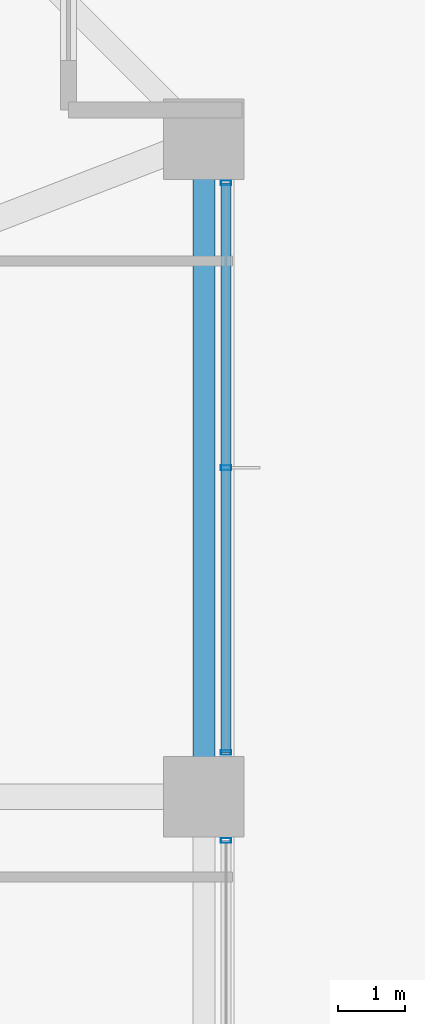
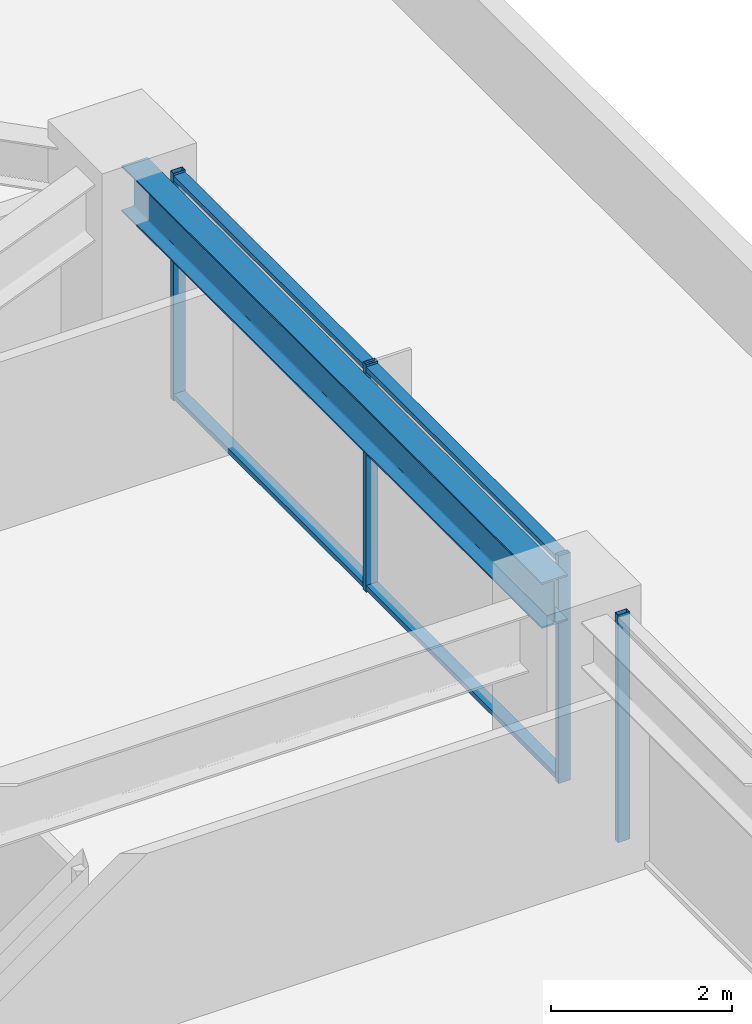
# One storey, part 23 of 36: 6 members, 1 beam, 2 elements without a shape of their own.
"""IFC4 building model written with IfcOpenShell, lengths in metres."""

from ifc_helpers import new_model, si_unit, direction, frame, origin, origin_2d, place, context, subcontext, project, spatial, hollow_rectangle, i_section, extrude, material, material_profile, profile_set, type_object, element, aggregate, save


model = new_model("IFC4")

# Units and contexts
model_context = context("Model", 3, precision=1e-05, world=origin(), true_north=direction((0.0, 1.0)))
body_context = subcontext(model_context, "Body", "Model", "MODEL_VIEW")
ifc_project = project(units=[si_unit("LENGTHUNIT", "METRE"), si_unit("AREAUNIT", "SQUARE_METRE"), si_unit("VOLUMEUNIT", "CUBIC_METRE"), si_unit("PLANEANGLEUNIT", "RADIAN"), si_unit("MASSUNIT", "GRAM", prefix="KILO")], contexts=[model_context])

# Site, building, storey
site_placement = place(None, origin())
site = spatial("IfcSite", under=ifc_project, at=site_placement, CompositionType="ELEMENT")
building_placement = place(site_placement, origin())
building = spatial("IfcBuilding", under=site, at=building_placement, Name="Kolvaren Belvedere", CompositionType="ELEMENT")
storey_placement = place(building_placement, frame((0.0, 0.0, 23.800048828125)))
storey = spatial("IfcBuildingStorey", under=building, at=storey_placement, Name="L06", CompositionType="ELEMENT", Elevation=23.800048828125)

# Beam
ifc_material_1 = material(Name="Structural steel ASTM A992 Grade 50", Category="steel")
ifc_material_profile_1 = material_profile(ifc_material_1, i_section(OverallWidth=0.324951171875, OverallDepth=0.615966796875, WebThickness=0.013916015625, FlangeThickness=0.021484375, FilletRadius=0.02001953125, at=origin_2d()), Name="W24X117")
ifc_profile_set_1 = profile_set([ifc_material_profile_1], Name="Structural steel ASTM A992 Grade 50")
beam_type = type_object("IfcBeamType", Name="BM-SPAN-W24X117", PredefinedType="SPANDREL", material=ifc_profile_set_1)
beam_placement = place(storey_placement, frame((21.550048828125, 4.8701171875, 2.751953125), z_axis=(0.0, 1.0, 0.0), x_axis=(-1.0, 0.0, 0.0)))
element("IfcBeam", 1, at=beam_placement, inside=storey, type_object=beam_type, Name="L06 Perimeter Spandrel E3-E4", PredefinedType="SPANDREL", context=body_context, shape_type="SweptSolid", body=[
    extrude(i_section(OverallWidth=0.324951171875, OverallDepth=0.615966796875, WebThickness=0.013916015625, FlangeThickness=0.021484375, FilletRadius=0.02001953125, at=origin_2d()), origin(), (0.0, 0.0, 1.0), 9.259765625),
])

# Curtain wall, members
ifc_material_2 = material(Name="Anodised pale-metal aluminium AA 6063-T6", Category="aluminium")
curtain_wall_type = type_object("IfcCurtainWallType", Name="CW-Z1-LOW", PredefinedType="NOTDEFINED", material=ifc_material_2)
curtain_wall_1_placement = place(storey_placement, origin())
curtain_wall_1 = element("IfcCurtainWall", 2, at=curtain_wall_1_placement, inside=storey, type_object=curtain_wall_type, Name="L06 Unitised Curtain Wall FCW-L06-E-B1", PredefinedType="NOTDEFINED")
ifc_material_3 = material(Name="Anodised pale-metal aluminium AA 6063-T6", Category="aluminium")
ifc_material_profile_2 = material_profile(ifc_material_3, hollow_rectangle(XDim=0.070068359375, YDim=0.14990234375, WallThickness=0.004150390625, at=origin_2d()), Name="ALU-MUL-150X70")
ifc_profile_set_2 = profile_set([ifc_material_profile_2], Name="Anodised pale-metal aluminium AA 6063-T6")
member_type_1 = type_object("IfcMemberType", Name="CW-MUL-150", PredefinedType="MULLION", material=ifc_profile_set_2)
member_1_placement = place(storey_placement, frame((21.8798828125, 13.7451171875, 0.0), z_axis=(0.0, 0.0, 1.0), x_axis=(0.0, 1.0, 0.0)))
member_1 = element("IfcMember", 3, at=member_1_placement, type_object=member_type_1, Name="FCW-L06-E-B1 Unitised Mullion 1", PredefinedType="MULLION", context=body_context, shape_type="SweptSolid", body=[
    extrude(hollow_rectangle(XDim=0.070068359375, YDim=0.14990234375, WallThickness=0.004150390625, at=origin_2d()), origin(), (0.0, 0.0, 1.0), 3.06005859375),
])
member_2_placement = place(storey_placement, frame((21.8798828125, 9.5, 0.0), z_axis=(0.0, 0.0, 1.0), x_axis=(0.0, 1.0, 0.0)))
member_2 = element("IfcMember", 4, at=member_2_placement, type_object=member_type_1, Name="FCW-L06-E-B1 Unitised Mullion 2", PredefinedType="MULLION", context=body_context, shape_type="SweptSolid", body=[
    extrude(hollow_rectangle(XDim=0.070068359375, YDim=0.14990234375, WallThickness=0.004150390625, at=origin_2d()), origin(), (0.0, 0.0, 1.0), 3.06005859375),
])
member_3_placement = place(storey_placement, frame((21.8798828125, 5.2548828125, 0.0), z_axis=(0.0, 0.0, 1.0), x_axis=(0.0, 1.0, 0.0)))
member_3 = element("IfcMember", 5, at=member_3_placement, type_object=member_type_1, Name="FCW-L06-E-B1 Unitised Mullion 3", PredefinedType="MULLION", context=body_context, shape_type="SweptSolid", body=[
    extrude(hollow_rectangle(XDim=0.070068359375, YDim=0.14990234375, WallThickness=0.004150390625, at=origin_2d()), origin(), (0.0, 0.0, 1.0), 3.06005859375),
])

# Curtain wall, member
curtain_wall_2_placement = place(storey_placement, origin())
curtain_wall_2 = element("IfcCurtainWall", 6, at=curtain_wall_2_placement, inside=storey, type_object=curtain_wall_type, Name="L06 Unitised Curtain Wall FCW-L06-E-B2", PredefinedType="NOTDEFINED")
member_4_placement = place(storey_placement, frame((21.8798828125, 3.945068359375, 0.0), z_axis=(0.0, 0.0, 1.0), x_axis=(0.0, 1.0, 0.0)))
member_4 = element("IfcMember", 7, at=member_4_placement, type_object=member_type_1, Name="FCW-L06-E-B2 Unitised Mullion 1", PredefinedType="MULLION", context=body_context, shape_type="SweptSolid", body=[
    extrude(hollow_rectangle(XDim=0.070068359375, YDim=0.14990234375, WallThickness=0.004150390625, at=origin_2d()), origin(), (0.0, 0.0, 1.0), 3.06005859375),
])
aggregate(curtain_wall_2, [member_4])

# Member
ifc_material_4 = material(Name="Anodised pale-metal aluminium AA 6063-T6", Category="aluminium")
ifc_material_profile_3 = material_profile(ifc_material_4, hollow_rectangle(XDim=0.06494140625, YDim=0.14990234375, WallThickness=0.00390625, at=origin_2d()), Name="ALU-TRN-150X65")
ifc_profile_set_3 = profile_set([ifc_material_profile_3], Name="Anodised pale-metal aluminium AA 6063-T6")
member_type_2 = type_object("IfcMemberType", Name="CW-TRN-150", PredefinedType="USERDEFINED", material=ifc_profile_set_3)
member_5_placement = place(storey_placement, frame((21.8798828125, 13.7451171875, 0.06005859375), z_axis=(0.0, -1.0, 0.0), x_axis=(0.0, 0.0, 1.0)))
member_5 = element("IfcMember", 8, at=member_5_placement, type_object=member_type_2, Name="FCW-L06-E-B1 Sill Transom", ObjectType="TRANSOM", PredefinedType="USERDEFINED", context=body_context, shape_type="SweptSolid", body=[
    extrude(hollow_rectangle(XDim=0.06494140625, YDim=0.14990234375, WallThickness=0.00390625, at=origin_2d()), origin(), (0.0, 0.0, 1.0), 8.490234375),
])

member_6_placement = place(storey_placement, frame((21.8798828125, 13.7451171875, 3.0), z_axis=(0.0, -1.0, 0.0), x_axis=(0.0, 0.0, 1.0)))
member_6 = element("IfcMember", 9, at=member_6_placement, type_object=member_type_2, Name="FCW-L06-E-B1 Head Transom", ObjectType="TRANSOM", PredefinedType="USERDEFINED", context=body_context, shape_type="SweptSolid", body=[
    extrude(hollow_rectangle(XDim=0.06494140625, YDim=0.14990234375, WallThickness=0.00390625, at=origin_2d()), origin(), (0.0, 0.0, 1.0), 8.490234375),
])

aggregate(curtain_wall_1, [member_1, member_2, member_3, member_5, member_6])

save(model, "model.ifc")
